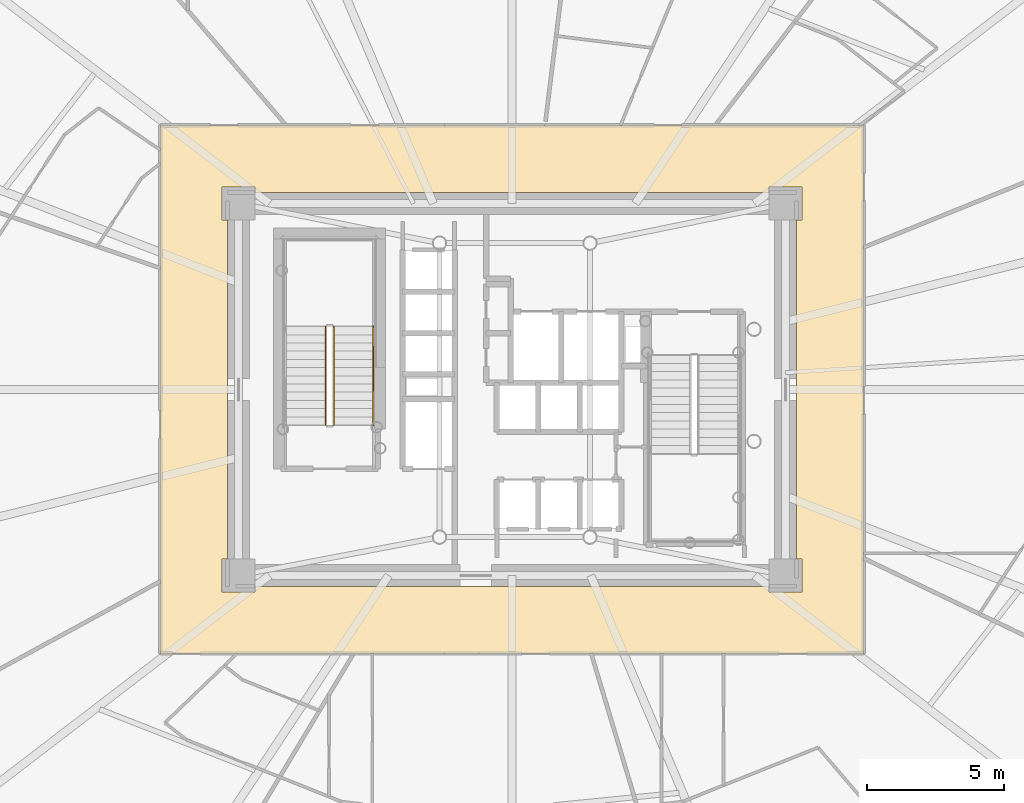
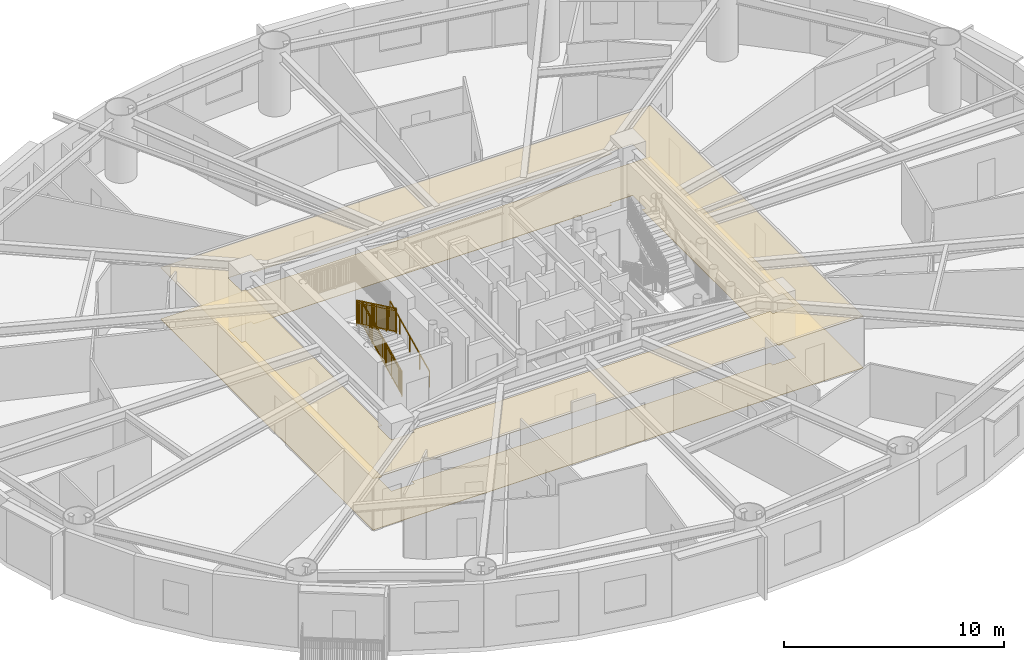
# One storey, part 14 of 18: 3 railings, 2 coverings.
"""IFC4 building model written with IfcOpenShell, lengths in metres."""

from ifc_helpers import new_model, si_unit, direction, frame, origin, origin_2d, place, context, subcontext, project, spatial, polyline, rectangle, outline, extrude, source, transform, mapped, material, layer, layer_set, type_object, element, save


model = new_model("IFC4")

# Units and contexts
model_context = context("Model", 3, precision=1e-05, world=origin(), true_north=direction((0.0, 1.0)))
body_context = subcontext(model_context, "Body", "Model", "MODEL_VIEW")
ifc_project = project(units=[si_unit("LENGTHUNIT", "METRE"), si_unit("AREAUNIT", "SQUARE_METRE"), si_unit("VOLUMEUNIT", "CUBIC_METRE"), si_unit("PLANEANGLEUNIT", "RADIAN"), si_unit("MASSUNIT", "GRAM", prefix="KILO")], contexts=[model_context])

# Site, building, storey
site_placement = place(None, origin())
site = spatial("IfcSite", under=ifc_project, at=site_placement, CompositionType="ELEMENT")
building_placement = place(site_placement, origin())
building = spatial("IfcBuilding", under=site, at=building_placement, Name="Linh Dai School and Residence Tower", CompositionType="ELEMENT")
storey_placement = place(building_placement, frame((0.0, 0.0, 100.949951171875)))
storey = spatial("IfcBuildingStorey", under=building, at=storey_placement, Name="L23", CompositionType="ELEMENT", Elevation=100.949951171875)

# Coverings
ifc_material_1 = material(Name="Mineral Fibre Acoustic Suspended Ceiling", Category="masonry")
ifc_layer_1 = layer(ifc_material_1, 0.02001953125)
ifc_layer_set_1 = layer_set([ifc_layer_1], Name="Mineral Fibre Acoustic Suspended Ceiling")
covering_type_1 = type_object("IfcCoveringType", Name="COV-CEIL-AC-20", PredefinedType="CEILING", material=ifc_layer_set_1)
covering_1_placement = place(storey_placement, frame((0.0, 0.0, 2.85009765625)))
element("IfcCovering", 1, at=covering_1_placement, inside=storey, type_object=covering_type_1, Name="L23 Residential Floor Corridor Suspended Ceiling", PredefinedType="CEILING", context=body_context, shape_type="SweptSolid", body=[
    extrude(outline(polyline([(48.85009765625, 36.64990234375), (48.85009765625, 17.35009765625), (23.14990234375, 17.35009765625), (23.14990234375, 36.64990234375), (48.85009765625, 36.64990234375)]), holes=[polyline([(26.60009765625, 34.199951171875), (26.60009765625, 34.39990234375), (25.39990234375, 34.39990234375), (25.39990234375, 33.199951171875), (25.60009765625, 33.199951171875), (25.60009765625, 20.800048828125), (25.39990234375, 20.800048828125), (25.39990234375, 19.60009765625), (26.60009765625, 19.60009765625), (26.60009765625, 19.800048828125), (45.39990234375, 19.800048828125), (45.39990234375, 19.60009765625), (46.60009765625, 19.60009765625), (46.60009765625, 20.800048828125), (46.39990234375, 20.800048828125), (46.39990234375, 33.199951171875), (46.60009765625, 33.199951171875), (46.60009765625, 34.39990234375), (45.39990234375, 34.39990234375), (45.39990234375, 34.199951171875), (26.60009765625, 34.199951171875)])]), origin(), (0.0, 0.0, 1.0), 0.02001953125),
])
ifc_material_2 = material(Name="Polished Terrazzo Floor Finish", Category="masonry")
ifc_layer_2 = layer(ifc_material_2, 0.02490234375)
ifc_layer_set_2 = layer_set([ifc_layer_2], Name="Polished Terrazzo Floor Finish")
covering_type_2 = type_object("IfcCoveringType", Name="COV-FLR-TRZ-25", PredefinedType="FLOORING", material=ifc_layer_set_2)
covering_2_placement = place(storey_placement, origin())
element("IfcCovering", 2, at=covering_2_placement, inside=storey, type_object=covering_type_2, Name="L23 Residential Floor Corridor Floor Finish", PredefinedType="FLOORING", context=body_context, shape_type="SweptSolid", body=[
    extrude(outline(polyline([(48.85009765625, 36.64990234375), (48.85009765625, 17.35009765625), (23.14990234375, 17.35009765625), (23.14990234375, 36.64990234375), (48.85009765625, 36.64990234375)]), holes=[polyline([(26.60009765625, 34.199951171875), (26.60009765625, 34.39990234375), (25.39990234375, 34.39990234375), (25.39990234375, 33.199951171875), (25.60009765625, 33.199951171875), (25.60009765625, 20.800048828125), (25.39990234375, 20.800048828125), (25.39990234375, 19.60009765625), (26.60009765625, 19.60009765625), (26.60009765625, 19.800048828125), (45.39990234375, 19.800048828125), (45.39990234375, 19.60009765625), (46.60009765625, 19.60009765625), (46.60009765625, 20.800048828125), (46.39990234375, 20.800048828125), (46.39990234375, 33.199951171875), (46.60009765625, 33.199951171875), (46.60009765625, 34.39990234375), (45.39990234375, 34.39990234375), (45.39990234375, 34.199951171875), (26.60009765625, 34.199951171875)])]), origin(), (0.0, 0.0, 1.0), 0.02001953125),
])

# Railings
ifc_material_3 = material(Name="Structural Steel S355JR", Category="steel")
railing_type_1 = type_object("IfcRailingType", Name="RL-ST-GUARD-1400", PredefinedType="GUARDRAIL", material=ifc_material_3)
shared_shape_1 = source(origin(), body_context, "Body", "SweptSolid", [
    extrude(rectangle(XDim=0.048095703125, YDim=0.048095703125, at=origin_2d()), frame((0.0, 0.0, 1.3759765625), z_axis=(0.0, 0.901262522062, 0.433273431364), x_axis=(-1.0, 0.0, 0.0)), (0.0, 0.0, 1.0), 3.994384765625),
    extrude(rectangle(XDim=0.048095703125, YDim=0.048095703125, at=origin_2d()), frame((0.0, 0.0, 0.10009765625), z_axis=(0.0, 0.901262522062, 0.433273431364), x_axis=(-1.0, 0.0, 0.0)), (0.0, 0.0, 1.0), 3.994384765625),
    extrude(rectangle(XDim=0.030029296875, YDim=0.030029296875, at=origin_2d()), frame((0.0, 0.0, 1.239990234375), z_axis=(0.0, 0.901262522062, 0.433273431364), x_axis=(-1.0, 0.0, 0.0)), (0.0, 0.0, 1.0), 3.994384765625),
    extrude(rectangle(XDim=0.02001953125, YDim=0.02001953125, at=origin_2d()), frame((0.0, 0.087890625, 0.142333984375)), (0.0, 0.0, 1.0), 1.251708984375),
    extrude(rectangle(XDim=0.02001953125, YDim=0.02001953125, at=origin_2d()), frame((0.0, 0.175537109375, 0.1845703125)), (0.0, 0.0, 1.0), 1.251708984375),
    extrude(rectangle(XDim=0.02001953125, YDim=0.02001953125, at=origin_2d()), frame((0.0, 0.263427734375, 0.226806640625)), (0.0, 0.0, 1.0), 1.251708984375),
    extrude(rectangle(XDim=0.02001953125, YDim=0.02001953125, at=origin_2d()), frame((0.0, 0.351318359375, 0.26904296875)), (0.0, 0.0, 1.0), 1.251708984375),
    extrude(rectangle(XDim=0.02001953125, YDim=0.02001953125, at=origin_2d()), frame((0.0, 0.43896484375, 0.311279296875)), (0.0, 0.0, 1.0), 1.251708984375),
    extrude(rectangle(XDim=0.02001953125, YDim=0.02001953125, at=origin_2d()), frame((0.0, 0.52685546875, 0.353271484375)), (0.0, 0.0, 1.0), 1.251708984375),
    extrude(rectangle(XDim=0.02001953125, YDim=0.02001953125, at=origin_2d()), frame((0.0, 0.61474609375, 0.3955078125)), (0.0, 0.0, 1.0), 1.251708984375),
    extrude(rectangle(XDim=0.02001953125, YDim=0.02001953125, at=origin_2d()), frame((0.0, 0.702392578125, 0.437744140625)), (0.0, 0.0, 1.0), 1.251708984375),
    extrude(rectangle(XDim=0.02001953125, YDim=0.02001953125, at=origin_2d()), frame((0.0, 0.790283203125, 0.47998046875)), (0.0, 0.0, 1.0), 1.251708984375),
    extrude(rectangle(XDim=0.02001953125, YDim=0.02001953125, at=origin_2d()), frame((0.0, 0.9658203125, 0.564453125)), (0.0, 0.0, 1.0), 1.251708984375),
    extrude(rectangle(XDim=0.02001953125, YDim=0.02001953125, at=origin_2d()), frame((0.0, 1.0537109375, 0.606689453125)), (0.0, 0.0, 1.0), 1.251708984375),
    extrude(rectangle(XDim=0.02001953125, YDim=0.02001953125, at=origin_2d()), frame((0.0, 1.1416015625, 0.64892578125)), (0.0, 0.0, 1.0), 1.251708984375),
    extrude(rectangle(XDim=0.02001953125, YDim=0.02001953125, at=origin_2d()), frame((0.0, 1.229248046875, 0.691162109375)), (0.0, 0.0, 1.0), 1.251708984375),
    extrude(rectangle(XDim=0.02001953125, YDim=0.02001953125, at=origin_2d()), frame((0.0, 1.317138671875, 0.7333984375)), (0.0, 0.0, 1.0), 1.251708984375),
    extrude(rectangle(XDim=0.02001953125, YDim=0.02001953125, at=origin_2d()), frame((0.0, 1.405029296875, 0.775390625)), (0.0, 0.0, 1.0), 1.251708984375),
    extrude(rectangle(XDim=0.02001953125, YDim=0.02001953125, at=origin_2d()), frame((0.0, 1.49267578125, 0.817626953125)), (0.0, 0.0, 1.0), 1.251708984375),
    extrude(rectangle(XDim=0.02001953125, YDim=0.02001953125, at=origin_2d()), frame((0.0, 1.58056640625, 0.85986328125)), (0.0, 0.0, 1.0), 1.251708984375),
    extrude(rectangle(XDim=0.02001953125, YDim=0.02001953125, at=origin_2d()), frame((0.0, 1.66845703125, 0.902099609375)), (0.0, 0.0, 1.0), 1.251708984375),
    extrude(rectangle(XDim=0.02001953125, YDim=0.02001953125, at=origin_2d()), frame((0.0, 1.756103515625, 0.9443359375)), (0.0, 0.0, 1.0), 1.251708984375),
    extrude(rectangle(XDim=0.02001953125, YDim=0.02001953125, at=origin_2d()), frame((0.0, 1.843994140625, 0.986572265625)), (0.0, 0.0, 1.0), 1.251708984375),
    extrude(rectangle(XDim=0.02001953125, YDim=0.02001953125, at=origin_2d()), frame((0.0, 1.931640625, 1.02880859375)), (0.0, 0.0, 1.0), 1.251708984375),
    extrude(rectangle(XDim=0.02001953125, YDim=0.02001953125, at=origin_2d()), frame((0.0, 2.01953125, 1.071044921875)), (0.0, 0.0, 1.0), 1.251708984375),
    extrude(rectangle(XDim=0.02001953125, YDim=0.02001953125, at=origin_2d()), frame((0.0, 2.107421875, 1.11328125)), (0.0, 0.0, 1.0), 1.251708984375),
    extrude(rectangle(XDim=0.02001953125, YDim=0.02001953125, at=origin_2d()), frame((0.0, 2.195068359375, 1.155517578125)), (0.0, 0.0, 1.0), 1.251708984375),
    extrude(rectangle(XDim=0.02001953125, YDim=0.02001953125, at=origin_2d()), frame((0.0, 2.282958984375, 1.197509765625)), (0.0, 0.0, 1.0), 1.251708984375),
    extrude(rectangle(XDim=0.02001953125, YDim=0.02001953125, at=origin_2d()), frame((0.0, 2.370849609375, 1.23974609375)), (0.0, 0.0, 1.0), 1.251708984375),
    extrude(rectangle(XDim=0.02001953125, YDim=0.02001953125, at=origin_2d()), frame((0.0, 2.45849609375, 1.281982421875)), (0.0, 0.0, 1.0), 1.251708984375),
    extrude(rectangle(XDim=0.02001953125, YDim=0.02001953125, at=origin_2d()), frame((0.0, 2.54638671875, 1.32421875)), (0.0, 0.0, 1.0), 1.251708984375),
    extrude(rectangle(XDim=0.02001953125, YDim=0.02001953125, at=origin_2d()), frame((0.0, 2.63427734375, 1.366455078125)), (0.0, 0.0, 1.0), 1.251708984375),
    extrude(rectangle(XDim=0.02001953125, YDim=0.02001953125, at=origin_2d()), frame((0.0, 2.809814453125, 1.450927734375)), (0.0, 0.0, 1.0), 1.251708984375),
    extrude(rectangle(XDim=0.02001953125, YDim=0.02001953125, at=origin_2d()), frame((0.0, 2.897705078125, 1.4931640625)), (0.0, 0.0, 1.0), 1.251708984375),
    extrude(rectangle(XDim=0.02001953125, YDim=0.02001953125, at=origin_2d()), frame((0.0, 2.9853515625, 1.535400390625)), (0.0, 0.0, 1.0), 1.251708984375),
    extrude(rectangle(XDim=0.02001953125, YDim=0.02001953125, at=origin_2d()), frame((0.0, 3.0732421875, 1.57763671875)), (0.0, 0.0, 1.0), 1.251708984375),
    extrude(rectangle(XDim=0.02001953125, YDim=0.02001953125, at=origin_2d()), frame((0.0, 3.1611328125, 1.61962890625)), (0.0, 0.0, 1.0), 1.251708984375),
    extrude(rectangle(XDim=0.02001953125, YDim=0.02001953125, at=origin_2d()), frame((0.0, 3.248779296875, 1.661865234375)), (0.0, 0.0, 1.0), 1.251708984375),
    extrude(rectangle(XDim=0.02001953125, YDim=0.02001953125, at=origin_2d()), frame((0.0, 3.336669921875, 1.7041015625)), (0.0, 0.0, 1.0), 1.251708984375),
    extrude(rectangle(XDim=0.02001953125, YDim=0.02001953125, at=origin_2d()), frame((0.0, 3.424560546875, 1.746337890625)), (0.0, 0.0, 1.0), 1.251708984375),
    extrude(rectangle(XDim=0.02001953125, YDim=0.02001953125, at=origin_2d()), frame((0.0, 3.51220703125, 1.78857421875)), (0.0, 0.0, 1.0), 1.251708984375),
    extrude(rectangle(XDim=0.0419921875, YDim=0.0419921875, at=origin_2d()), origin(), (0.0, 0.0, 1.0), 1.3759765625),
    extrude(rectangle(XDim=0.0419921875, YDim=0.0419921875, at=origin_2d()), frame((0.0, 0.89990234375, 0.4326171875)), (0.0, 0.0, 1.0), 1.3759765625),
    extrude(rectangle(XDim=0.0419921875, YDim=0.0419921875, at=origin_2d()), frame((0.0, 1.800048828125, 0.865234375)), (0.0, 0.0, 1.0), 1.3759765625),
    extrude(rectangle(XDim=0.0419921875, YDim=0.0419921875, at=origin_2d()), frame((0.0, 2.7001953125, 1.298095703125)), (0.0, 0.0, 1.0), 1.3759765625),
    extrude(rectangle(XDim=0.0419921875, YDim=0.0419921875, at=origin_2d()), frame((0.0, 3.60009765625, 1.730712890625)), (0.0, 0.0, 1.0), 1.3759765625),
])
railing_1_placement = place(storey_placement, frame((29.47998046875, 25.699951171875, 0.144287109375)))
element("IfcRailing", 3, at=railing_1_placement, inside=storey, type_object=railing_type_1, Name="L23 ST1 stair guard 1", PredefinedType="GUARDRAIL", context=body_context, shape_type="MappedRepresentation", body=[
    mapped(shared_shape_1, transform((0.0, 0.0, 0.0), x_axis=(1.0, 0.0, 0.0), y_axis=(0.0, 1.0, 0.0), z_axis=(0.0, 0.0, 1.0), scale=1.0)),
])
shared_shape_2 = source(origin(), body_context, "Body", "SweptSolid", [
    extrude(rectangle(XDim=0.048095703125, YDim=0.048095703125, at=origin_2d()), frame((0.0, 0.0, 1.3759765625), z_axis=(0.0, -0.901262522062, 0.433273431364), x_axis=(1.0, 0.0, 0.0)), (0.0, 0.0, 1.0), 3.994384765625),
    extrude(rectangle(XDim=0.048095703125, YDim=0.048095703125, at=origin_2d()), frame((0.0, 0.0, 0.10009765625), z_axis=(0.0, -0.901262522062, 0.433273431364), x_axis=(1.0, 0.0, 0.0)), (0.0, 0.0, 1.0), 3.994384765625),
    extrude(rectangle(XDim=0.030029296875, YDim=0.030029296875, at=origin_2d()), frame((0.0, 0.0, 1.239990234375), z_axis=(0.0, -0.901262522062, 0.433273431364), x_axis=(1.0, 0.0, 0.0)), (0.0, 0.0, 1.0), 3.994384765625),
    extrude(rectangle(XDim=0.02001953125, YDim=0.02001953125, at=origin_2d()), frame((0.0, -0.087890625, 0.142333984375)), (0.0, 0.0, 1.0), 1.251708984375),
    extrude(rectangle(XDim=0.02001953125, YDim=0.02001953125, at=origin_2d()), frame((0.0, -0.175537109375, 0.1845703125)), (0.0, 0.0, 1.0), 1.251708984375),
    extrude(rectangle(XDim=0.02001953125, YDim=0.02001953125, at=origin_2d()), frame((0.0, -0.263427734375, 0.226806640625)), (0.0, 0.0, 1.0), 1.251708984375),
    extrude(rectangle(XDim=0.02001953125, YDim=0.02001953125, at=origin_2d()), frame((0.0, -0.351318359375, 0.26904296875)), (0.0, 0.0, 1.0), 1.251708984375),
    extrude(rectangle(XDim=0.02001953125, YDim=0.02001953125, at=origin_2d()), frame((0.0, -0.43896484375, 0.311279296875)), (0.0, 0.0, 1.0), 1.251708984375),
    extrude(rectangle(XDim=0.02001953125, YDim=0.02001953125, at=origin_2d()), frame((0.0, -0.52685546875, 0.353271484375)), (0.0, 0.0, 1.0), 1.251708984375),
    extrude(rectangle(XDim=0.02001953125, YDim=0.02001953125, at=origin_2d()), frame((0.0, -0.61474609375, 0.3955078125)), (0.0, 0.0, 1.0), 1.251708984375),
    extrude(rectangle(XDim=0.02001953125, YDim=0.02001953125, at=origin_2d()), frame((0.0, -0.702392578125, 0.437744140625)), (0.0, 0.0, 1.0), 1.251708984375),
    extrude(rectangle(XDim=0.02001953125, YDim=0.02001953125, at=origin_2d()), frame((0.0, -0.790283203125, 0.47998046875)), (0.0, 0.0, 1.0), 1.251708984375),
    extrude(rectangle(XDim=0.02001953125, YDim=0.02001953125, at=origin_2d()), frame((0.0, -0.9658203125, 0.564453125)), (0.0, 0.0, 1.0), 1.251708984375),
    extrude(rectangle(XDim=0.02001953125, YDim=0.02001953125, at=origin_2d()), frame((0.0, -1.0537109375, 0.606689453125)), (0.0, 0.0, 1.0), 1.251708984375),
    extrude(rectangle(XDim=0.02001953125, YDim=0.02001953125, at=origin_2d()), frame((0.0, -1.1416015625, 0.64892578125)), (0.0, 0.0, 1.0), 1.251708984375),
    extrude(rectangle(XDim=0.02001953125, YDim=0.02001953125, at=origin_2d()), frame((0.0, -1.229248046875, 0.691162109375)), (0.0, 0.0, 1.0), 1.251708984375),
    extrude(rectangle(XDim=0.02001953125, YDim=0.02001953125, at=origin_2d()), frame((0.0, -1.317138671875, 0.7333984375)), (0.0, 0.0, 1.0), 1.251708984375),
    extrude(rectangle(XDim=0.02001953125, YDim=0.02001953125, at=origin_2d()), frame((0.0, -1.405029296875, 0.775390625)), (0.0, 0.0, 1.0), 1.251708984375),
    extrude(rectangle(XDim=0.02001953125, YDim=0.02001953125, at=origin_2d()), frame((0.0, -1.49267578125, 0.817626953125)), (0.0, 0.0, 1.0), 1.251708984375),
    extrude(rectangle(XDim=0.02001953125, YDim=0.02001953125, at=origin_2d()), frame((0.0, -1.58056640625, 0.85986328125)), (0.0, 0.0, 1.0), 1.251708984375),
    extrude(rectangle(XDim=0.02001953125, YDim=0.02001953125, at=origin_2d()), frame((0.0, -1.66845703125, 0.902099609375)), (0.0, 0.0, 1.0), 1.251708984375),
    extrude(rectangle(XDim=0.02001953125, YDim=0.02001953125, at=origin_2d()), frame((0.0, -1.756103515625, 0.9443359375)), (0.0, 0.0, 1.0), 1.251708984375),
    extrude(rectangle(XDim=0.02001953125, YDim=0.02001953125, at=origin_2d()), frame((0.0, -1.843994140625, 0.986572265625)), (0.0, 0.0, 1.0), 1.251708984375),
    extrude(rectangle(XDim=0.02001953125, YDim=0.02001953125, at=origin_2d()), frame((0.0, -1.931640625, 1.02880859375)), (0.0, 0.0, 1.0), 1.251708984375),
    extrude(rectangle(XDim=0.02001953125, YDim=0.02001953125, at=origin_2d()), frame((0.0, -2.01953125, 1.071044921875)), (0.0, 0.0, 1.0), 1.251708984375),
    extrude(rectangle(XDim=0.02001953125, YDim=0.02001953125, at=origin_2d()), frame((0.0, -2.107421875, 1.11328125)), (0.0, 0.0, 1.0), 1.251708984375),
    extrude(rectangle(XDim=0.02001953125, YDim=0.02001953125, at=origin_2d()), frame((0.0, -2.195068359375, 1.155517578125)), (0.0, 0.0, 1.0), 1.251708984375),
    extrude(rectangle(XDim=0.02001953125, YDim=0.02001953125, at=origin_2d()), frame((0.0, -2.282958984375, 1.197509765625)), (0.0, 0.0, 1.0), 1.251708984375),
    extrude(rectangle(XDim=0.02001953125, YDim=0.02001953125, at=origin_2d()), frame((0.0, -2.370849609375, 1.23974609375)), (0.0, 0.0, 1.0), 1.251708984375),
    extrude(rectangle(XDim=0.02001953125, YDim=0.02001953125, at=origin_2d()), frame((0.0, -2.45849609375, 1.281982421875)), (0.0, 0.0, 1.0), 1.251708984375),
    extrude(rectangle(XDim=0.02001953125, YDim=0.02001953125, at=origin_2d()), frame((0.0, -2.54638671875, 1.32421875)), (0.0, 0.0, 1.0), 1.251708984375),
    extrude(rectangle(XDim=0.02001953125, YDim=0.02001953125, at=origin_2d()), frame((0.0, -2.63427734375, 1.366455078125)), (0.0, 0.0, 1.0), 1.251708984375),
    extrude(rectangle(XDim=0.02001953125, YDim=0.02001953125, at=origin_2d()), frame((0.0, -2.809814453125, 1.450927734375)), (0.0, 0.0, 1.0), 1.251708984375),
    extrude(rectangle(XDim=0.02001953125, YDim=0.02001953125, at=origin_2d()), frame((0.0, -2.897705078125, 1.4931640625)), (0.0, 0.0, 1.0), 1.251708984375),
    extrude(rectangle(XDim=0.02001953125, YDim=0.02001953125, at=origin_2d()), frame((0.0, -2.9853515625, 1.535400390625)), (0.0, 0.0, 1.0), 1.251708984375),
    extrude(rectangle(XDim=0.02001953125, YDim=0.02001953125, at=origin_2d()), frame((0.0, -3.0732421875, 1.57763671875)), (0.0, 0.0, 1.0), 1.251708984375),
    extrude(rectangle(XDim=0.02001953125, YDim=0.02001953125, at=origin_2d()), frame((0.0, -3.1611328125, 1.61962890625)), (0.0, 0.0, 1.0), 1.251708984375),
    extrude(rectangle(XDim=0.02001953125, YDim=0.02001953125, at=origin_2d()), frame((0.0, -3.248779296875, 1.661865234375)), (0.0, 0.0, 1.0), 1.251708984375),
    extrude(rectangle(XDim=0.02001953125, YDim=0.02001953125, at=origin_2d()), frame((0.0, -3.336669921875, 1.7041015625)), (0.0, 0.0, 1.0), 1.251708984375),
    extrude(rectangle(XDim=0.02001953125, YDim=0.02001953125, at=origin_2d()), frame((0.0, -3.424560546875, 1.746337890625)), (0.0, 0.0, 1.0), 1.251708984375),
    extrude(rectangle(XDim=0.02001953125, YDim=0.02001953125, at=origin_2d()), frame((0.0, -3.51220703125, 1.78857421875)), (0.0, 0.0, 1.0), 1.251708984375),
    extrude(rectangle(XDim=0.0419921875, YDim=0.0419921875, at=origin_2d()), origin(), (0.0, 0.0, 1.0), 1.3759765625),
    extrude(rectangle(XDim=0.0419921875, YDim=0.0419921875, at=origin_2d()), frame((0.0, -0.89990234375, 0.4326171875)), (0.0, 0.0, 1.0), 1.3759765625),
    extrude(rectangle(XDim=0.0419921875, YDim=0.0419921875, at=origin_2d()), frame((0.0, -1.800048828125, 0.865234375)), (0.0, 0.0, 1.0), 1.3759765625),
    extrude(rectangle(XDim=0.0419921875, YDim=0.0419921875, at=origin_2d()), frame((0.0, -2.7001953125, 1.298095703125)), (0.0, 0.0, 1.0), 1.3759765625),
    extrude(rectangle(XDim=0.0419921875, YDim=0.0419921875, at=origin_2d()), frame((0.0, -3.60009765625, 1.730712890625)), (0.0, 0.0, 1.0), 1.3759765625),
])
railing_2_placement = place(storey_placement, frame((29.179931640625, 29.300048828125, 2.019287109375)))
element("IfcRailing", 4, at=railing_2_placement, inside=storey, type_object=railing_type_1, Name="L23 ST1 stair guard 6", PredefinedType="GUARDRAIL", context=body_context, shape_type="MappedRepresentation", body=[
    mapped(shared_shape_2, transform((0.0, 0.0, 0.0), x_axis=(1.0, 0.0, 0.0), y_axis=(0.0, 1.0, 0.0), z_axis=(0.0, 0.0, 1.0), scale=1.0)),
])
ifc_material_4 = material(Name="Brushed Stainless Steel Handrail", Category="steel")
railing_type_2 = type_object("IfcRailingType", Name="RL-ST-HANDRAIL-900", PredefinedType="HANDRAIL", material=ifc_material_4)
shared_shape_3 = source(origin(), body_context, "Body", "SweptSolid", [
    extrude(rectangle(XDim=0.048095703125, YDim=0.048095703125, at=origin_2d()), frame((0.0, 0.0, 0.8759765625), z_axis=(0.0, 0.901262522062, 0.433273431364), x_axis=(-1.0, 0.0, 0.0)), (0.0, 0.0, 1.0), 3.994384765625),
    extrude(rectangle(XDim=0.0419921875, YDim=0.0419921875, at=origin_2d()), origin(), (0.0, 0.0, 1.0), 0.8759765625),
    extrude(rectangle(XDim=0.0419921875, YDim=0.0419921875, at=origin_2d()), frame((0.0, 0.89990234375, 0.4326171875)), (0.0, 0.0, 1.0), 0.8759765625),
    extrude(rectangle(XDim=0.0419921875, YDim=0.0419921875, at=origin_2d()), frame((0.0, 1.800048828125, 0.865234375)), (0.0, 0.0, 1.0), 0.8759765625),
    extrude(rectangle(XDim=0.0419921875, YDim=0.0419921875, at=origin_2d()), frame((0.0, 2.7001953125, 1.298095703125)), (0.0, 0.0, 1.0), 0.8759765625),
    extrude(rectangle(XDim=0.0419921875, YDim=0.0419921875, at=origin_2d()), frame((0.0, 3.60009765625, 1.730712890625)), (0.0, 0.0, 1.0), 0.8759765625),
])
railing_3_placement = place(storey_placement, frame((30.929931640625, 25.699951171875, 0.144287109375)))
element("IfcRailing", 5, at=railing_3_placement, inside=storey, type_object=railing_type_2, Name="L23 ST1 stair handrail 1", PredefinedType="HANDRAIL", context=body_context, shape_type="MappedRepresentation", body=[
    mapped(shared_shape_3, transform((0.0, 0.0, 0.0), x_axis=(1.0, 0.0, 0.0), y_axis=(0.0, 1.0, 0.0), z_axis=(0.0, 0.0, 1.0), scale=1.0)),
])

save(model, "model.ifc")
